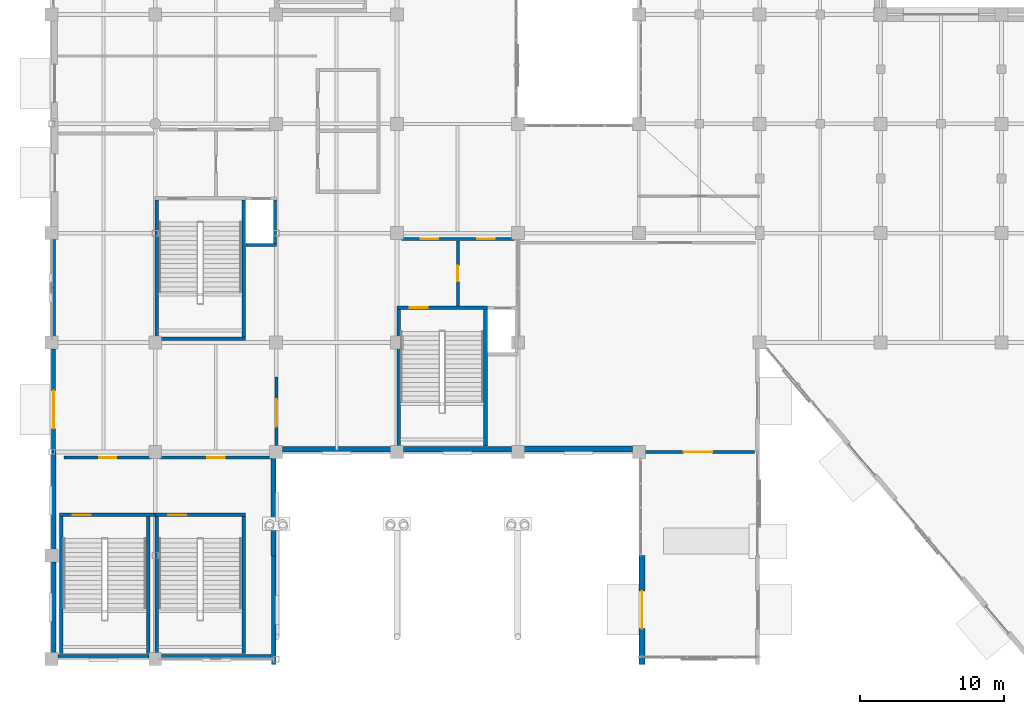
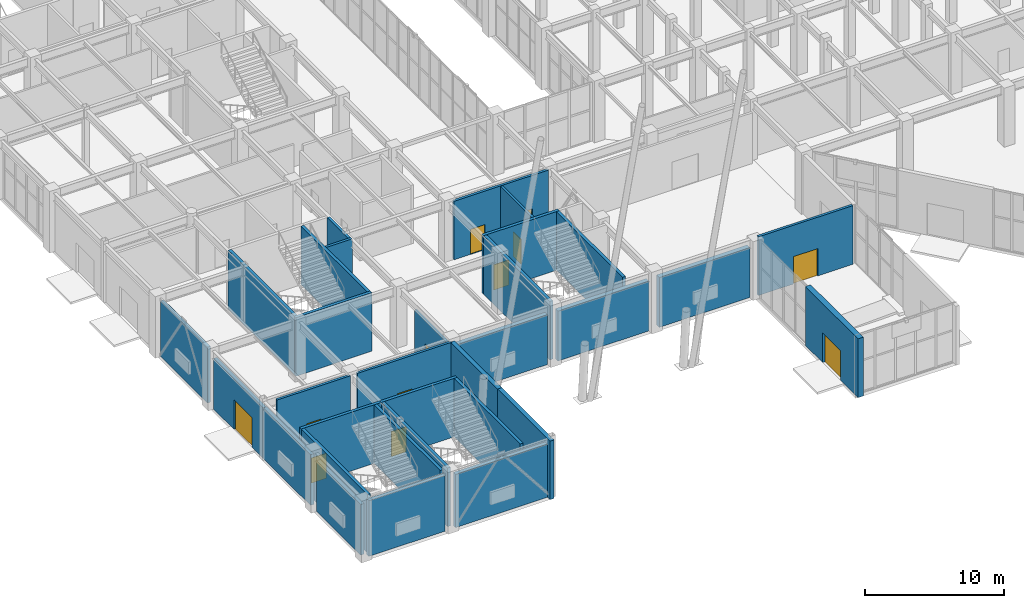
# One storey, part 118 of 139: 32 walls, 12 doors, 12 openings.
"""IFC4 building model written with IfcOpenShell, lengths in metres."""

from ifc_helpers import new_model, si_unit, direction, frame, frame_2d, origin, place, context, subcontext, project, spatial, rectangle, extrude, material, layer, layer_set, type_object, element, fill, save


model = new_model("IFC4")

# Units and contexts
model_context = context("Model", 3, precision=1e-05, world=origin(), true_north=direction((0.0, 1.0)))
body_context = subcontext(model_context, "Body", "Model", "MODEL_VIEW")
ifc_project = project(units=[si_unit("LENGTHUNIT", "METRE"), si_unit("AREAUNIT", "SQUARE_METRE"), si_unit("VOLUMEUNIT", "CUBIC_METRE"), si_unit("PLANEANGLEUNIT", "RADIAN"), si_unit("MASSUNIT", "GRAM", prefix="KILO")], contexts=[model_context])

# Site, building, storey
site_placement = place(None, origin())
site = spatial("IfcSite", under=ifc_project, at=site_placement, CompositionType="ELEMENT")
building_placement = place(site_placement, origin())
building = spatial("IfcBuilding", under=site, at=building_placement, Name="Xicomal Pleat Aquarium", CompositionType="ELEMENT")
storey_placement = place(building_placement, origin())
storey = spatial("IfcBuildingStorey", under=building, at=storey_placement, Name="L01", CompositionType="ELEMENT", Elevation=0.0)

# Walls
ifc_material_1 = material(Name="Concrete C40/50", Category="concrete")
ifc_layer_1 = layer(ifc_material_1, 0.219970703125)
ifc_layer_set_1 = layer_set([ifc_layer_1], Name="Concrete C40/50")
wall_type_1 = type_object("IfcWallType", Name="WAL-COR-220", PredefinedType="SHEAR", material=ifc_layer_set_1)
wall_1_placement = place(storey_placement, frame((16.5, 29.590087890625, 0.0), z_axis=(0.0, 0.0, 1.0), x_axis=(1.0, 0.0, 0.0)))
element("IfcWall", 1, at=wall_1_placement, inside=storey, type_object=wall_type_1, Name="L01 LF-01 lift shaft wall CW-L01-C1-LS", PredefinedType="SHEAR", context=body_context, shape_type="SweptSolid", body=[
    extrude(rectangle(XDim=2.1201171875, YDim=0.219970703125, at=frame_2d((1.06005859375, 0.0))), origin(), (0.0, 0.0, 1.0), 5.139892578125),
])
wall_2_placement = place(storey_placement, frame((18.510009765625, 29.699951171875, 0.0), z_axis=(0.0, 0.0, 1.0), x_axis=(0.0, 1.0, 0.0)))
element("IfcWall", 2, at=wall_2_placement, inside=storey, type_object=wall_type_1, Name="L01 LF-01 lift shaft wall CW-L01-C1-LE", PredefinedType="SHEAR", context=body_context, shape_type="SweptSolid", body=[
    extrude(rectangle(XDim=3.0, YDim=0.219970703125, at=frame_2d((1.5, 0.0))), origin(), (0.0, 0.0, 1.0), 5.139892578125),
])
ifc_material_2 = material(Name="Concrete C40/50", Category="concrete")
ifc_layer_2 = layer(ifc_material_2, 0.25)
ifc_layer_set_2 = layer_set([ifc_layer_2], Name="Concrete C40/50")
wall_type_2 = type_object("IfcWallType", Name="WAL-COR-250", PredefinedType="SHEAR", material=ifc_layer_set_2)
wall_3_placement = place(storey_placement, frame((10.18994140625, 23.074951171875, 0.0), z_axis=(0.0, 0.0, 1.0), x_axis=(1.0, 0.0, 0.0)))
element("IfcWall", 3, at=wall_3_placement, inside=storey, type_object=wall_type_2, Name="L01 CORE-1 stair shear wall CW-L01-C1-SS", PredefinedType="SHEAR", context=body_context, shape_type="SweptSolid", body=[
    extrude(rectangle(XDim=6.280029296875, YDim=0.25, at=frame_2d((3.14013671875, 0.0))), origin(), (0.0, 0.0, 1.0), 5.139892578125),
])
for number, where, z_axis, x_axis, name in (
    (4, (10.31494140625, 23.199951171875, 0.0), (0.0, 0.0, 1.0), (0.0, 1.0, 0.0), "L01 CORE-1 stair shear wall CW-L01-C1-SW"),
    (5, (16.344970703125, 23.199951171875, 0.0), (0.0, 0.0, 1.0), (0.0, 1.0, 0.0), "L01 CORE-1 stair shear wall CW-L01-C1-SE"),
):
    element("IfcWall", number, at=place(storey_placement, frame(where, z_axis=z_axis, x_axis=x_axis)), inside=storey, type_object=wall_type_2, Name=name, PredefinedType="SHEAR", context=body_context, shape_type="SweptSolid", body=[
        extrude(rectangle(XDim=9.5, YDim=0.25, at=frame_2d((4.75, 0.0))), origin(), (0.0, 0.0, 1.0), 5.139892578125),
    ])

# Wall, opening, door
wall_4_placement = place(storey_placement, frame((26.989990234375, 25.22509765625, 0.0), z_axis=(0.0, 0.0, 1.0), x_axis=(1.0, 0.0, 0.0)))
wall_4 = element("IfcWall", 6, at=wall_4_placement, inside=storey, type_object=wall_type_2, Name="L01 CORE-2 stair shear wall CW-L01-C2-SN", PredefinedType="SHEAR", context=body_context, shape_type="SweptSolid", body=[
    extrude(rectangle(XDim=6.280029296875, YDim=0.25, at=frame_2d((3.14013671875, 0.0))), origin(), (0.0, 0.0, 1.0), 5.139892578125),
])
opening_1_placement = place(wall_4_placement, frame((0.89990234375, 0.0, 0.0)))
opening_1 = element("IfcOpeningElement", 7, at=opening_1_placement, cuts=wall_4, Name="Opening SD-02-L01", PredefinedType="OPENING", context=body_context, shape_type="SweptSolid", body=[
    extrude(rectangle(XDim=1.25, YDim=2.199951171875, at=frame_2d((0.625, 1.10009765625))), frame((0.0, 0.135009765625, 0.0), z_axis=(0.0, -1.0, 0.0), x_axis=(1.0, 0.0, 0.0)), (0.0, 0.0, 1.0), 0.27001953125),
])
ifc_material_3 = material(Name="Powder-coated steel fire door", Category="steel")
door_type_1 = type_object("IfcDoorType", Name="DOR-ST-1250x2200", OperationType="NOTDEFINED", PredefinedType="DOOR", material=ifc_material_3)
door_1_placement = place(opening_1_placement, origin())
door_1 = element("IfcDoor", 8, at=door_1_placement, inside=storey, type_object=door_type_1, Name="L01 ST-02 protected stair door", OperationType="SINGLE_SWING_RIGHT", OverallHeight=2.199951171875, OverallWidth=1.25, PredefinedType="DOOR", context=body_context, shape_type="SweptSolid", body=[
    extrude(rectangle(XDim=1.25, YDim=2.199951171875, at=frame_2d((0.625, 1.10009765625))), frame((0.0, 0.02490234375, 0.0), z_axis=(0.0, -1.0, 0.0), x_axis=(1.0, 0.0, 0.0)), (0.0, 0.0, 1.0), 0.050048828125),
])
fill(opening_1, door_1)

# Walls
for number, where, z_axis, x_axis, name in (
    (9, (27.114990234375, 15.60009765625, 0.0), (0.0, 0.0, 1.0), (0.0, 1.0, 0.0), "L01 CORE-2 stair shear wall CW-L01-C2-SW"),
    (10, (33.14501953125, 15.60009765625, 0.0), (0.0, 0.0, 1.0), (0.0, 1.0, 0.0), "L01 CORE-2 stair shear wall CW-L01-C2-SE"),
):
    element("IfcWall", number, at=place(storey_placement, frame(where, z_axis=z_axis, x_axis=x_axis)), inside=storey, type_object=wall_type_2, Name=name, PredefinedType="SHEAR", context=body_context, shape_type="SweptSolid", body=[
        extrude(rectangle(XDim=9.5, YDim=0.25, at=frame_2d((4.75, 0.0))), origin(), (0.0, 0.0, 1.0), 5.139892578125),
    ])

# Wall, opening, door
wall_5_placement = place(storey_placement, frame((10.18994140625, 10.824951171875, 0.0), z_axis=(0.0, 0.0, 1.0), x_axis=(1.0, 0.0, 0.0)))
wall_5 = element("IfcWall", 11, at=wall_5_placement, inside=storey, type_object=wall_type_2, Name="L01 CORE-9 stair shear wall CW-L01-C9-SN", PredefinedType="SHEAR", context=body_context, shape_type="SweptSolid", body=[
    extrude(rectangle(XDim=6.280029296875, YDim=0.25, at=frame_2d((3.14013671875, 0.0))), origin(), (0.0, 0.0, 1.0), 5.139892578125),
])
opening_2_placement = place(wall_5_placement, frame((0.89990234375, 0.0, 0.0)))
opening_2 = element("IfcOpeningElement", 12, at=opening_2_placement, cuts=wall_5, Name="Opening SD-09-L01", PredefinedType="OPENING", context=body_context, shape_type="SweptSolid", body=[
    extrude(rectangle(XDim=1.25, YDim=2.199951171875, at=frame_2d((0.625, 1.10009765625))), frame((0.0, 0.135009765625, 0.0), z_axis=(0.0, -1.0, 0.0), x_axis=(1.0, 0.0, 0.0)), (0.0, 0.0, 1.0), 0.27001953125),
])
door_2_placement = place(opening_2_placement, origin())
door_2 = element("IfcDoor", 13, at=door_2_placement, inside=storey, type_object=door_type_1, Name="L01 ST-09 protected stair door", OperationType="SINGLE_SWING_RIGHT", OverallHeight=2.199951171875, OverallWidth=1.25, PredefinedType="DOOR", context=body_context, shape_type="SweptSolid", body=[
    extrude(rectangle(XDim=1.25, YDim=2.199951171875, at=frame_2d((0.625, 1.10009765625))), frame((0.0, 0.02490234375, 0.0), z_axis=(0.0, -1.0, 0.0), x_axis=(1.0, 0.0, 0.0)), (0.0, 0.0, 1.0), 0.050048828125),
])
fill(opening_2, door_2)

# Walls
for number, where, z_axis, x_axis, name in (
    (14, (10.31494140625, 1.199951171875, 0.0), (0.0, 0.0, 1.0), (0.0, 1.0, 0.0), "L01 CORE-9 stair shear wall CW-L01-C9-SW"),
    (15, (16.344970703125, 1.199951171875, 0.0), (0.0, 0.0, 1.0), (0.0, 1.0, 0.0), "L01 CORE-9 stair shear wall CW-L01-C9-SE"),
):
    element("IfcWall", number, at=place(storey_placement, frame(where, z_axis=z_axis, x_axis=x_axis)), inside=storey, type_object=wall_type_2, Name=name, PredefinedType="SHEAR", context=body_context, shape_type="SweptSolid", body=[
        extrude(rectangle(XDim=9.5, YDim=0.25, at=frame_2d((4.75, 0.0))), origin(), (0.0, 0.0, 1.0), 5.139892578125),
    ])

# Wall, opening, door
wall_6_placement = place(storey_placement, frame((3.550048828125, 10.824951171875, 0.0), z_axis=(0.0, 0.0, 1.0), x_axis=(1.0, 0.0, 0.0)))
wall_6 = element("IfcWall", 16, at=wall_6_placement, inside=storey, type_object=wall_type_2, Name="L01 CORE-10 stair shear wall CW-L01-C10-SN", PredefinedType="SHEAR", context=body_context, shape_type="SweptSolid", body=[
    extrude(rectangle(XDim=6.639892578125, YDim=0.25, at=frame_2d((3.31982421875, 0.0))), origin(), (0.0, 0.0, 1.0), 5.139892578125),
])
opening_3_placement = place(wall_6_placement, frame((0.89990234375, 0.0, 0.0)))
opening_3 = element("IfcOpeningElement", 17, at=opening_3_placement, cuts=wall_6, Name="Opening SD-10-L01", PredefinedType="OPENING", context=body_context, shape_type="SweptSolid", body=[
    extrude(rectangle(XDim=1.25, YDim=2.199951171875, at=frame_2d((0.625, 1.10009765625))), frame((0.0, 0.135009765625, 0.0), z_axis=(0.0, -1.0, 0.0), x_axis=(1.0, 0.0, 0.0)), (0.0, 0.0, 1.0), 0.27001953125),
])
door_3_placement = place(opening_3_placement, origin())
door_3 = element("IfcDoor", 18, at=door_3_placement, inside=storey, type_object=door_type_1, Name="L01 ST-10 protected stair door", OperationType="SINGLE_SWING_RIGHT", OverallHeight=2.199951171875, OverallWidth=1.25, PredefinedType="DOOR", context=body_context, shape_type="SweptSolid", body=[
    extrude(rectangle(XDim=1.25, YDim=2.199951171875, at=frame_2d((0.625, 1.10009765625))), frame((0.0, 0.02490234375, 0.0), z_axis=(0.0, -1.0, 0.0), x_axis=(1.0, 0.0, 0.0)), (0.0, 0.0, 1.0), 0.050048828125),
])
fill(opening_3, door_3)

# Walls
for number, where, z_axis, x_axis, name in (
    (19, (3.675048828125, 1.199951171875, 0.0), (0.0, 0.0, 1.0), (0.0, 1.0, 0.0), "L01 CORE-10 stair shear wall CW-L01-C10-SW"),
    (20, (9.705078125, 1.199951171875, 0.0), (0.0, 0.0, 1.0), (0.0, 1.0, 0.0), "L01 CORE-10 stair shear wall CW-L01-C10-SE"),
):
    element("IfcWall", number, at=place(storey_placement, frame(where, z_axis=z_axis, x_axis=x_axis)), inside=storey, type_object=wall_type_2, Name=name, PredefinedType="SHEAR", context=body_context, shape_type="SweptSolid", body=[
        extrude(rectangle(XDim=9.5, YDim=0.25, at=frame_2d((4.75, 0.0))), origin(), (0.0, 0.0, 1.0), 5.139892578125),
    ])
ifc_material_4 = material(Name="Volcanic basalt recinto masonry and concrete C40/50", Category="masonry")
ifc_layer_3 = layer(ifc_material_4, 0.35009765625)
ifc_layer_set_3 = layer_set([ifc_layer_3], Name="Volcanic basalt recinto masonry and concrete C40/50")
wall_type_3 = type_object("IfcWallType", Name="WAL-EXT-BAS-350", PredefinedType="SOLIDWALL", material=ifc_layer_set_3)
wall_7_placement = place(storey_placement, frame((18.425048828125, 14.764892578125, 0.0), z_axis=(0.0, 0.0, 1.0), x_axis=(0.0, -1.0, 0.0)))
element("IfcWall", 21, at=wall_7_placement, inside=storey, type_object=wall_type_3, Name="L01 exterior basalt-precast wall EW-L01-017", PredefinedType="SOLIDWALL", context=body_context, shape_type="SweptSolid", body=[
    extrude(rectangle(XDim=6.784912109375, YDim=0.35009765625, at=frame_2d((3.392578125, 0.0))), origin(), (0.0, 0.0, 1.0), 5.139892578125),
])
ifc_material_5 = material(Name="Volcanic basalt recinto masonry and concrete C40/50", Category="masonry")
ifc_layer_4 = layer(ifc_material_5, 0.364990234375)
ifc_layer_set_4 = layer_set([ifc_layer_4], Name="Volcanic basalt recinto masonry and concrete C40/50")
wall_type_4 = type_object("IfcWallType", Name="WAL-EXT-BAS-365", PredefinedType="SOLIDWALL", material=ifc_layer_set_4)
wall_8_placement = place(storey_placement, frame((26.56494140625, 15.382080078125, 0.0), z_axis=(0.0, 0.0, 1.0), x_axis=(-1.0, 0.0, 0.0)))
element("IfcWall", 22, at=wall_8_placement, inside=storey, type_object=wall_type_4, Name="L01 exterior basalt-precast wall EW-L01-016", PredefinedType="SOLIDWALL", context=body_context, shape_type="SweptSolid", body=[
    extrude(rectangle(XDim=7.530029296875, YDim=0.364990234375, at=frame_2d((3.76513671875, 0.0))), origin(), (0.0, 0.0, 1.0), 4.364990234375),
])
ifc_material_6 = material(Name="Volcanic basalt recinto masonry and concrete C40/50", Category="masonry")
ifc_layer_5 = layer(ifc_material_6, 0.3798828125)
ifc_layer_set_5 = layer_set([ifc_layer_5], Name="Volcanic basalt recinto masonry and concrete C40/50")
wall_type_5 = type_object("IfcWallType", Name="WAL-EXT-BAS-380", PredefinedType="SOLIDWALL", material=ifc_layer_set_5)
wall_9_placement = place(storey_placement, frame((34.965087890625, 15.389892578125, 0.0), z_axis=(0.0, 0.0, 1.0), x_axis=(-1.0, 0.0, 0.0)))
element("IfcWall", 23, at=wall_9_placement, inside=storey, type_object=wall_type_5, Name="L01 exterior basalt-precast wall EW-L01-015", PredefinedType="SOLIDWALL", context=body_context, shape_type="SweptSolid", body=[
    extrude(rectangle(XDim=7.530029296875, YDim=0.3798828125, at=frame_2d((3.76513671875, 0.0))), origin(), (0.0, 0.0, 1.0), 4.364990234375),
])
ifc_material_7 = material(Name="Volcanic basalt recinto masonry and concrete C40/50", Category="masonry")
ifc_layer_6 = layer(ifc_material_7, 0.39990234375)
ifc_layer_set_6 = layer_set([ifc_layer_6], Name="Volcanic basalt recinto masonry and concrete C40/50")
wall_type_6 = type_object("IfcWallType", Name="WAL-EXT-BAS-400", PredefinedType="SOLIDWALL", material=ifc_layer_set_6)
wall_10_placement = place(storey_placement, frame((43.364990234375, 15.39990234375, 0.0), z_axis=(0.0, 0.0, 1.0), x_axis=(-1.0, 0.0, 0.0)))
element("IfcWall", 24, at=wall_10_placement, inside=storey, type_object=wall_type_6, Name="L01 exterior basalt-precast wall EW-L01-014", PredefinedType="SOLIDWALL", context=body_context, shape_type="SweptSolid", body=[
    extrude(rectangle(XDim=7.530029296875, YDim=0.39990234375, at=frame_2d((3.76513671875, 0.0))), origin(), (0.0, 0.0, 1.0), 4.364990234375),
])

# Wall, opening, door
ifc_material_8 = material(Name="Volcanic basalt recinto masonry and concrete C40/50", Category="masonry")
ifc_layer_7 = layer(ifc_material_8, 0.445068359375)
ifc_layer_set_7 = layer_set([ifc_layer_7], Name="Volcanic basalt recinto masonry and concrete C40/50")
wall_type_7 = type_object("IfcWallType", Name="WAL-EXT-BAS-445", PredefinedType="SOLIDWALL", material=ifc_layer_set_7)
wall_11_placement = place(storey_placement, frame((44.02197265625, 0.43994140625, 0.0), z_axis=(0.0, 0.0, 1.0), x_axis=(0.0, 1.0, 0.0)))
wall_11 = element("IfcWall", 25, at=wall_11_placement, inside=storey, type_object=wall_type_7, Name="L01 exterior basalt-precast wall EW-L01-012", PredefinedType="SOLIDWALL", context=body_context, shape_type="SweptSolid", body=[
    extrude(rectangle(XDim=7.580078125, YDim=0.445068359375, at=frame_2d((3.7900390625, 0.0))), origin(), (0.0, 0.0, 1.0), 5.159912109375),
])
opening_4_placement = place(wall_11_placement, frame((2.489990234375, 0.0, 0.0)))
opening_4 = element("IfcOpeningElement", 26, at=opening_4_placement, cuts=wall_11, Name="Opening EX-22", PredefinedType="OPENING", context=body_context, shape_type="SweptSolid", body=[
    extrude(rectangle(XDim=2.60009765625, YDim=2.60009765625, at=frame_2d((1.300048828125, 1.300048828125))), frame((0.0, 0.232421875, 0.0), z_axis=(0.0, -1.0, 0.0), x_axis=(1.0, 0.0, 0.0)), (0.0, 0.0, 1.0), 0.465087890625),
])
ifc_material_9 = material(Name="Bronze anodized aluminium and laminated safety glass", Category="aluminium")
door_type_2 = type_object("IfcDoorType", Name="DOR-EX-2600x2600", OperationType="DOUBLE_DOOR_SINGLE_SWING", PredefinedType="DOOR", material=ifc_material_9)
door_4_placement = place(opening_4_placement, origin())
door_4 = element("IfcDoor", 27, at=door_4_placement, inside=storey, type_object=door_type_2, Name="Ground floor pedestrian final exit door EX-22", OperationType="DOUBLE_DOOR_SINGLE_SWING", OverallHeight=2.60009765625, OverallWidth=2.60009765625, PredefinedType="DOOR", context=body_context, shape_type="SweptSolid", body=[
    extrude(rectangle(XDim=2.60009765625, YDim=2.60009765625, at=frame_2d((1.300048828125, 1.300048828125))), frame((0.0, 0.02490234375, 0.0), z_axis=(0.0, -1.0, 0.0), x_axis=(1.0, 0.0, 0.0)), (0.0, 0.0, 1.0), 0.050048828125),
])
fill(opening_4, door_4)

# Wall
ifc_material_10 = material(Name="Precast concrete C40/50", Category="concrete")
ifc_layer_8 = layer(ifc_material_10, 0.260009765625)
ifc_layer_set_8 = layer_set([ifc_layer_8], Name="Precast concrete C40/50")
wall_type_8 = type_object("IfcWallType", Name="WAL-EXT-PRC-260", PredefinedType="SOLIDWALL", material=ifc_layer_set_8)
wall_12_placement = place(storey_placement, frame((3.1298828125, 23.235107421875, 0.0), z_axis=(0.0, 0.0, 1.0), x_axis=(0.0, 1.0, 0.0)))
element("IfcWall", 28, at=wall_12_placement, inside=storey, type_object=wall_type_8, Name="L01 exterior basalt-precast wall EW-L01-024", PredefinedType="SOLIDWALL", context=body_context, shape_type="SweptSolid", body=[
    extrude(rectangle(XDim=6.72998046875, YDim=0.260009765625, at=frame_2d((3.364990234375, 0.0))), origin(), (0.0, 0.0, 1.0), 4.885009765625),
])

# Wall, opening, door
ifc_material_11 = material(Name="Precast concrete C40/50", Category="concrete")
ifc_layer_9 = layer(ifc_material_11, 0.280029296875)
ifc_layer_set_9 = layer_set([ifc_layer_9], Name="Precast concrete C40/50")
wall_type_9 = type_object("IfcWallType", Name="WAL-EXT-PRC-280", PredefinedType="SOLIDWALL", material=ifc_layer_set_9)
wall_13_placement = place(storey_placement, frame((3.139892578125, 15.219970703125, 0.0), z_axis=(0.0, 0.0, 1.0), x_axis=(0.0, 1.0, 0.0)))
wall_13 = element("IfcWall", 29, at=wall_13_placement, inside=storey, type_object=wall_type_9, Name="L01 exterior basalt-precast wall EW-L01-023", PredefinedType="SOLIDWALL", context=body_context, shape_type="SweptSolid", body=[
    extrude(rectangle(XDim=7.14501953125, YDim=0.280029296875, at=frame_2d((3.572509765625, 0.0))), origin(), (0.0, 0.0, 1.0), 4.44189453125),
])
opening_5_placement = place(wall_13_placement, frame((1.614990234375, 0.0, 0.0)))
opening_5 = element("IfcOpeningElement", 30, at=opening_5_placement, cuts=wall_13, Name="Opening EX-02", PredefinedType="OPENING", context=body_context, shape_type="SweptSolid", body=[
    extrude(rectangle(XDim=2.60009765625, YDim=2.60009765625, at=frame_2d((1.300048828125, 1.300048828125))), frame((0.0, 0.14990234375, 0.0), z_axis=(0.0, -1.0, 0.0), x_axis=(1.0, 0.0, 0.0)), (0.0, 0.0, 1.0), 0.300048828125),
])
door_5_placement = place(opening_5_placement, origin())
door_5 = element("IfcDoor", 31, at=door_5_placement, inside=storey, type_object=door_type_2, Name="Ground floor pedestrian final exit door EX-02", OperationType="DOUBLE_DOOR_SINGLE_SWING", OverallHeight=2.60009765625, OverallWidth=2.60009765625, PredefinedType="DOOR", context=body_context, shape_type="SweptSolid", body=[
    extrude(rectangle(XDim=2.60009765625, YDim=2.60009765625, at=frame_2d((1.300048828125, 1.300048828125))), frame((0.0, 0.02490234375, 0.0), z_axis=(0.0, -1.0, 0.0), x_axis=(1.0, 0.0, 0.0)), (0.0, 0.0, 1.0), 0.050048828125),
])
fill(opening_5, door_5)

# Walls
ifc_material_12 = material(Name="Precast concrete C40/50", Category="concrete")
ifc_layer_10 = layer(ifc_material_12, 0.2900390625)
ifc_layer_set_10 = layer_set([ifc_layer_10], Name="Precast concrete C40/50")
wall_type_10 = type_object("IfcWallType", Name="WAL-EXT-PRC-290", PredefinedType="SOLIDWALL", material=ifc_layer_set_10)
wall_14_placement = place(storey_placement, frame((3.14501953125, 8.43505859375, 0.0), z_axis=(0.0, 0.0, 1.0), x_axis=(0.0, 1.0, 0.0)))
element("IfcWall", 32, at=wall_14_placement, inside=storey, type_object=wall_type_10, Name="L01 exterior basalt-precast wall EW-L01-022", PredefinedType="SOLIDWALL", context=body_context, shape_type="SweptSolid", body=[
    extrude(rectangle(XDim=6.784912109375, YDim=0.2900390625, at=frame_2d((3.392578125, 0.0))), origin(), (0.0, 0.0, 1.0), 4.44189453125),
])
ifc_material_13 = material(Name="Precast concrete C40/50", Category="concrete")
ifc_layer_11 = layer(ifc_material_13, 0.300048828125)
ifc_layer_set_11 = layer_set([ifc_layer_11], Name="Precast concrete C40/50")
wall_type_11 = type_object("IfcWallType", Name="WAL-EXT-PRC-300", PredefinedType="SOLIDWALL", material=ifc_layer_set_11)
wall_15_placement = place(storey_placement, frame((3.14990234375, 1.235107421875, 0.0), z_axis=(0.0, 0.0, 1.0), x_axis=(0.0, 1.0, 0.0)))
element("IfcWall", 33, at=wall_15_placement, inside=storey, type_object=wall_type_11, Name="L01 exterior basalt-precast wall EW-L01-021", PredefinedType="SOLIDWALL", context=body_context, shape_type="SweptSolid", body=[
    extrude(rectangle(XDim=6.329833984375, YDim=0.300048828125, at=frame_2d((3.1650390625, 0.0))), origin(), (0.0, 0.0, 1.0), 4.44189453125),
])
ifc_material_14 = material(Name="Precast concrete C40/50", Category="concrete")
ifc_layer_12 = layer(ifc_material_14, 0.31201171875)
ifc_layer_set_12 = layer_set([ifc_layer_12], Name="Precast concrete C40/50")
wall_type_12 = type_object("IfcWallType", Name="WAL-EXT-PRC-312", PredefinedType="SOLIDWALL", material=ifc_layer_set_12)
wall_16_placement = place(storey_placement, frame((9.764892578125, 0.9560546875, 0.0), z_axis=(0.0, 0.0, 1.0), x_axis=(-1.0, 0.0, 0.0)))
element("IfcWall", 34, at=wall_16_placement, inside=storey, type_object=wall_type_12, Name="L01 exterior basalt-precast wall EW-L01-020", PredefinedType="SOLIDWALL", context=body_context, shape_type="SweptSolid", body=[
    extrude(rectangle(XDim=6.329833984375, YDim=0.31201171875, at=frame_2d((3.1650390625, 0.0))), origin(), (0.0, 0.0, 1.0), 4.885009765625),
])
ifc_material_15 = material(Name="Precast concrete C40/50", Category="concrete")
ifc_layer_13 = layer(ifc_material_15, 0.324951171875)
ifc_layer_set_13 = layer_set([ifc_layer_13], Name="Precast concrete C40/50")
wall_type_13 = type_object("IfcWallType", Name="WAL-EXT-PRC-325", PredefinedType="SOLIDWALL", material=ifc_layer_set_13)
wall_17_placement = place(storey_placement, frame((18.2548828125, 0.962890625, 0.0), z_axis=(0.0, 0.0, 1.0), x_axis=(-1.0, 0.0, 0.0)))
element("IfcWall", 35, at=wall_17_placement, inside=storey, type_object=wall_type_13, Name="L01 exterior basalt-precast wall EW-L01-019B", PredefinedType="SOLIDWALL", context=body_context, shape_type="SweptSolid", body=[
    extrude(rectangle(XDim=7.619873046875, YDim=0.324951171875, at=frame_2d((3.81005859375, 0.0))), origin(), (0.0, 0.0, 1.0), 4.666015625),
])
ifc_material_16 = material(Name="Precast concrete C40/50", Category="concrete")
ifc_layer_14 = layer(ifc_material_16, 0.340087890625)
ifc_layer_set_14 = layer_set([ifc_layer_14], Name="Precast concrete C40/50")
wall_type_14 = type_object("IfcWallType", Name="WAL-EXT-PRC-340", PredefinedType="SOLIDWALL", material=ifc_layer_set_14)
wall_18_placement = place(storey_placement, frame((18.429931640625, 7.97998046875, 0.0), z_axis=(0.0, 0.0, 1.0), x_axis=(0.0, -1.0, 0.0)))
element("IfcWall", 36, at=wall_18_placement, inside=storey, type_object=wall_type_14, Name="L01 exterior basalt-precast wall EW-L01-018", PredefinedType="SOLIDWALL", context=body_context, shape_type="SweptSolid", body=[
    extrude(rectangle(XDim=7.5400390625, YDim=0.340087890625, at=frame_2d((3.77001953125, 0.0))), origin(), (0.0, 0.0, 1.0), 5.139892578125),
])

# Wall, opening, door
ifc_material_17 = material(Name="Acoustic double-stud drywall partition", Category="gypsum")
ifc_layer_15 = layer(ifc_material_17, 0.195068359375)
ifc_layer_set_15 = layer_set([ifc_layer_15], Name="Acoustic double-stud drywall partition")
wall_type_15 = type_object("IfcWallType", Name="WAL-PRT-195", PredefinedType="PARTITIONING", material=ifc_layer_set_15)
wall_19_placement = place(storey_placement, frame((31.22509765625, 25.35009765625, 0.0), z_axis=(0.0, 0.0, 1.0), x_axis=(0.0, 1.0, 0.0)))
wall_19 = element("IfcWall", 37, at=wall_19_placement, inside=storey, type_object=wall_type_15, Name="L01 firefighting lobby smoke divider 2", PredefinedType="PARTITIONING", context=body_context, shape_type="SweptSolid", body=[
    extrude(rectangle(XDim=4.5, YDim=0.195068359375, at=frame_2d((2.25, 0.0))), origin(), (0.0, 0.0, 1.0), 5.139892578125),
])
opening_6_placement = place(wall_19_placement, frame((1.699951171875, 0.0, 0.0)))
opening_6 = element("IfcOpeningElement", 38, at=opening_6_placement, cuts=wall_19, Name="Opening FD-02C-L01", PredefinedType="OPENING", context=body_context, shape_type="SweptSolid", body=[
    extrude(rectangle(XDim=1.10009765625, YDim=2.14990234375, at=frame_2d((0.550048828125, 1.074951171875))), frame((0.0, 0.107421875, 0.0), z_axis=(0.0, -1.0, 0.0), x_axis=(1.0, 0.0, 0.0)), (0.0, 0.0, 1.0), 0.215087890625),
])
ifc_material_18 = material(Name="Powder-coated steel fire door", Category="steel")
door_type_3 = type_object("IfcDoorType", Name="DOR-LAB-1100x2150", OperationType="NOTDEFINED", PredefinedType="DOOR", material=ifc_material_18)
door_6_placement = place(opening_6_placement, origin())
door_6 = element("IfcDoor", 39, at=door_6_placement, inside=storey, type_object=door_type_3, Name="L01 lobby interconnecting fire door 2C", OperationType="SINGLE_SWING_RIGHT", OverallHeight=2.14990234375, OverallWidth=1.10009765625, PredefinedType="DOOR", context=body_context, shape_type="SweptSolid", body=[
    extrude(rectangle(XDim=1.10009765625, YDim=2.14990234375, at=frame_2d((0.550048828125, 1.074951171875))), frame((0.0, 0.02490234375, 0.0), z_axis=(0.0, -1.0, 0.0), x_axis=(1.0, 0.0, 0.0)), (0.0, 0.0, 1.0), 0.050048828125),
])
fill(opening_6, door_6)

ifc_material_19 = material(Name="Acoustic double-stud drywall partition", Category="gypsum")
ifc_layer_16 = layer(ifc_material_19, 0.201904296875)
ifc_layer_set_16 = layer_set([ifc_layer_16], Name="Acoustic double-stud drywall partition")
wall_type_16 = type_object("IfcWallType", Name="WAL-PRT-202", PredefinedType="PARTITIONING", material=ifc_layer_set_16)
wall_20_placement = place(storey_placement, frame((18.6201171875, 20.39990234375, 0.0), z_axis=(0.0, 0.0, 1.0), x_axis=(0.0, -1.0, 0.0)))
wall_20 = element("IfcWall", 40, at=wall_20_placement, inside=storey, type_object=wall_type_16, Name="L01 interior partition PT-L01-020", PredefinedType="PARTITIONING", context=body_context, shape_type="SweptSolid", body=[
    extrude(rectangle(XDim=5.0, YDim=0.201904296875, at=frame_2d((2.5, 0.0))), origin(), (0.0, 0.0, 1.0), 4.44189453125),
])
opening_7_placement = place(wall_20_placement, frame((1.550048828125, 0.0, 0.0)))
opening_7 = element("IfcOpeningElement", 41, at=opening_7_placement, cuts=wall_20, Name="Opening DR-L01-009", PredefinedType="OPENING", context=body_context, shape_type="SweptSolid", body=[
    extrude(rectangle(XDim=1.89990234375, YDim=2.39990234375, at=frame_2d((0.949951171875, 1.199951171875))), frame((0.0, 0.11083984375, 0.0), z_axis=(0.0, -1.0, 0.0), x_axis=(1.0, 0.0, 0.0)), (0.0, 0.0, 1.0), 0.221923828125),
])
ifc_material_20 = material(Name="Powder-coated steel fire door", Category="steel")
door_type_4 = type_object("IfcDoorType", Name="DOR-INT-1900x2400", OperationType="DOUBLE_DOOR_SINGLE_SWING", PredefinedType="DOOR", material=ifc_material_20)
door_7_placement = place(opening_7_placement, origin())
door_7 = element("IfcDoor", 42, at=door_7_placement, inside=storey, type_object=door_type_4, Name="L01 Entrance Pavilion Foyer and Ticketing Hall door DR-L01-009", OperationType="DOUBLE_DOOR_SINGLE_SWING", OverallHeight=2.39990234375, OverallWidth=1.89990234375, PredefinedType="DOOR", context=body_context, shape_type="SweptSolid", body=[
    extrude(rectangle(XDim=1.89990234375, YDim=2.39990234375, at=frame_2d((0.949951171875, 1.199951171875))), frame((0.0, 0.02490234375, 0.0), z_axis=(0.0, -1.0, 0.0), x_axis=(1.0, 0.0, 0.0)), (0.0, 0.0, 1.0), 0.050048828125),
])
fill(opening_7, door_7)

# Wall, openings, doors
ifc_material_21 = material(Name="Fire-rated gypsum and mineral-wool partition", Category="gypsum")
ifc_layer_17 = layer(ifc_material_21, 0.2099609375)
ifc_layer_set_17 = layer_set([ifc_layer_17], Name="Fire-rated gypsum and mineral-wool partition")
wall_type_17 = type_object("IfcWallType", Name="WAL-PRT-210", PredefinedType="PARTITIONING", material=ifc_layer_set_17)
wall_21_placement = place(storey_placement, frame((27.300048828125, 30.0, 0.0), z_axis=(0.0, 0.0, 1.0), x_axis=(1.0, 0.0, 0.0)))
wall_21 = element("IfcWall", 43, at=wall_21_placement, inside=storey, type_object=wall_type_17, Name="L01 CORE-2 lobby fire enclosure wall", PredefinedType="PARTITIONING", context=body_context, shape_type="SweptSolid", body=[
    extrude(rectangle(XDim=7.849853515625, YDim=0.2099609375, at=frame_2d((3.9248046875, 0.0))), origin(), (0.0, 0.0, 1.0), 5.139892578125),
])
opening_8_placement = place(wall_21_placement, frame((1.362060546875, 0.0, 0.0)))
opening_8 = element("IfcOpeningElement", 44, at=opening_8_placement, cuts=wall_21, Name="Opening FD-02A-L01", PredefinedType="OPENING", context=body_context, shape_type="SweptSolid", body=[
    extrude(rectangle(XDim=1.199951171875, YDim=2.199951171875, at=frame_2d((0.60009765625, 1.10009765625))), frame((0.0, 0.114990234375, 0.0), z_axis=(0.0, -1.0, 0.0), x_axis=(1.0, 0.0, 0.0)), (0.0, 0.0, 1.0), 0.22998046875),
])
opening_9_placement = place(wall_21_placement, frame((5.287109375, 0.0, 0.0)))
opening_9 = element("IfcOpeningElement", 45, at=opening_9_placement, cuts=wall_21, Name="Opening FD-02B-L01", PredefinedType="OPENING", context=body_context, shape_type="SweptSolid", body=[
    extrude(rectangle(XDim=1.199951171875, YDim=2.199951171875, at=frame_2d((0.60009765625, 1.10009765625))), frame((0.0, 0.114990234375, 0.0), z_axis=(0.0, -1.0, 0.0), x_axis=(1.0, 0.0, 0.0)), (0.0, 0.0, 1.0), 0.22998046875),
])
ifc_material_22 = material(Name="Powder-coated steel fire door", Category="steel")
door_type_5 = type_object("IfcDoorType", Name="DOR-FFL-1200x2200", OperationType="NOTDEFINED", PredefinedType="DOOR", material=ifc_material_22)
door_8_placement = place(opening_8_placement, origin())
door_8 = element("IfcDoor", 46, at=door_8_placement, inside=storey, type_object=door_type_5, Name="L01 firefighting lobby door 2A", OperationType="SINGLE_SWING_RIGHT", OverallHeight=2.199951171875, OverallWidth=1.199951171875, PredefinedType="DOOR", context=body_context, shape_type="SweptSolid", body=[
    extrude(rectangle(XDim=1.199951171875, YDim=2.199951171875, at=frame_2d((0.60009765625, 1.10009765625))), frame((0.0, 0.02490234375, 0.0), z_axis=(0.0, -1.0, 0.0), x_axis=(1.0, 0.0, 0.0)), (0.0, 0.0, 1.0), 0.050048828125),
])
fill(opening_8, door_8)
door_9_placement = place(opening_9_placement, origin())
door_9 = element("IfcDoor", 47, at=door_9_placement, inside=storey, type_object=door_type_5, Name="L01 lift lobby door 2B", OperationType="SINGLE_SWING_LEFT", OverallHeight=2.199951171875, OverallWidth=1.199951171875, PredefinedType="DOOR", context=body_context, shape_type="SweptSolid", body=[
    extrude(rectangle(XDim=1.199951171875, YDim=2.199951171875, at=frame_2d((0.60009765625, 1.10009765625))), frame((0.0, 0.02490234375, 0.0), z_axis=(0.0, -1.0, 0.0), x_axis=(1.0, 0.0, 0.0)), (0.0, 0.0, 1.0), 0.050048828125),
])
fill(opening_9, door_9)

# Wall, opening, door
wall_22_placement = place(storey_placement, frame((10.5, 14.800048828125, 0.0), z_axis=(0.0, 0.0, 1.0), x_axis=(1.0, 0.0, 0.0)))
wall_22 = element("IfcWall", 48, at=wall_22_placement, inside=storey, type_object=wall_type_17, Name="L01 CORE-9 lobby fire enclosure wall", PredefinedType="PARTITIONING", context=body_context, shape_type="SweptSolid", body=[
    extrude(rectangle(XDim=7.85009765625, YDim=0.2099609375, at=frame_2d((3.925048828125, 0.0))), origin(), (0.0, 0.0, 1.0), 5.139892578125),
])
opening_10_placement = place(wall_22_placement, frame((3.324951171875, 0.0, 0.0)))
opening_10 = element("IfcOpeningElement", 49, at=opening_10_placement, cuts=wall_22, Name="Opening FD-09A-L01", PredefinedType="OPENING", context=body_context, shape_type="SweptSolid", body=[
    extrude(rectangle(XDim=1.199951171875, YDim=2.199951171875, at=frame_2d((0.60009765625, 1.10009765625))), frame((0.0, 0.114990234375, 0.0), z_axis=(0.0, -1.0, 0.0), x_axis=(1.0, 0.0, 0.0)), (0.0, 0.0, 1.0), 0.22998046875),
])
door_10_placement = place(opening_10_placement, origin())
door_10 = element("IfcDoor", 50, at=door_10_placement, inside=storey, type_object=door_type_5, Name="L01 firefighting lobby door 9A", OperationType="SINGLE_SWING_RIGHT", OverallHeight=2.199951171875, OverallWidth=1.199951171875, PredefinedType="DOOR", context=body_context, shape_type="SweptSolid", body=[
    extrude(rectangle(XDim=1.199951171875, YDim=2.199951171875, at=frame_2d((0.60009765625, 1.10009765625))), frame((0.0, 0.02490234375, 0.0), z_axis=(0.0, -1.0, 0.0), x_axis=(1.0, 0.0, 0.0)), (0.0, 0.0, 1.0), 0.050048828125),
])
fill(opening_10, door_10)

wall_23_placement = place(storey_placement, frame((3.860107421875, 14.800048828125, 0.0), z_axis=(0.0, 0.0, 1.0), x_axis=(1.0, 0.0, 0.0)))
wall_23 = element("IfcWall", 51, at=wall_23_placement, inside=storey, type_object=wall_type_17, Name="L01 CORE-10 lobby fire enclosure wall", PredefinedType="PARTITIONING", context=body_context, shape_type="SweptSolid", body=[
    extrude(rectangle(XDim=6.08984375, YDim=0.2099609375, at=frame_2d((3.044921875, 0.0))), origin(), (0.0, 0.0, 1.0), 5.139892578125),
])
opening_11_placement = place(wall_23_placement, frame((2.445068359375, 0.0, 0.0)))
opening_11 = element("IfcOpeningElement", 52, at=opening_11_placement, cuts=wall_23, Name="Opening FD-10A-L01", PredefinedType="OPENING", context=body_context, shape_type="SweptSolid", body=[
    extrude(rectangle(XDim=1.199951171875, YDim=2.199951171875, at=frame_2d((0.60009765625, 1.10009765625))), frame((0.0, 0.114990234375, 0.0), z_axis=(0.0, -1.0, 0.0), x_axis=(1.0, 0.0, 0.0)), (0.0, 0.0, 1.0), 0.22998046875),
])
door_11_placement = place(opening_11_placement, origin())
door_11 = element("IfcDoor", 53, at=door_11_placement, inside=storey, type_object=door_type_5, Name="L01 firefighting lobby door 10A", OperationType="SINGLE_SWING_RIGHT", OverallHeight=2.199951171875, OverallWidth=1.199951171875, PredefinedType="DOOR", context=body_context, shape_type="SweptSolid", body=[
    extrude(rectangle(XDim=1.199951171875, YDim=2.199951171875, at=frame_2d((0.60009765625, 1.10009765625))), frame((0.0, 0.02490234375, 0.0), z_axis=(0.0, -1.0, 0.0), x_axis=(1.0, 0.0, 0.0)), (0.0, 0.0, 1.0), 0.050048828125),
])
fill(opening_11, door_11)

wall_24_placement = place(storey_placement, frame((44.0, 15.199951171875, 0.0), z_axis=(0.0, 0.0, 1.0), x_axis=(1.0, 0.0, 0.0)))
wall_24 = element("IfcWall", 54, at=wall_24_placement, inside=storey, type_object=wall_type_17, Name="L01 interior partition PT-L01-023", PredefinedType="PARTITIONING", context=body_context, shape_type="SweptSolid", body=[
    extrude(rectangle(XDim=7.840087890625, YDim=0.2099609375, at=frame_2d((3.919921875, 0.0))), origin(), (0.0, 0.0, 1.0), 5.14990234375),
])
opening_12_placement = place(wall_24_placement, frame((2.919921875, 0.0, 0.0)))
opening_12 = element("IfcOpeningElement", 55, at=opening_12_placement, cuts=wall_24, Name="Opening DR-L01-011", PredefinedType="OPENING", context=body_context, shape_type="SweptSolid", body=[
    extrude(rectangle(XDim=2.0, YDim=2.39990234375, at=frame_2d((1.0, 1.199951171875))), frame((0.0, 0.114990234375, 0.0), z_axis=(0.0, -1.0, 0.0), x_axis=(1.0, 0.0, 0.0)), (0.0, 0.0, 1.0), 0.22998046875),
])
ifc_material_23 = material(Name="Powder-coated steel fire door", Category="steel")
door_type_6 = type_object("IfcDoorType", Name="DOR-LSS-2000x2400", OperationType="DOUBLE_DOOR_SINGLE_SWING", PredefinedType="DOOR", material=ifc_material_23)
door_12_placement = place(opening_12_placement, origin())
door_12 = element("IfcDoor", 56, at=door_12_placement, inside=storey, type_object=door_type_6, Name="L01 Fire Command Room door DR-L01-011", OperationType="DOUBLE_DOOR_SINGLE_SWING", OverallHeight=2.39990234375, OverallWidth=2.0, PredefinedType="DOOR", context=body_context, shape_type="SweptSolid", body=[
    extrude(rectangle(XDim=2.0, YDim=2.39990234375, at=frame_2d((1.0, 1.199951171875))), frame((0.0, 0.02490234375, 0.0), z_axis=(0.0, -1.0, 0.0), x_axis=(1.0, 0.0, 0.0)), (0.0, 0.0, 1.0), 0.050048828125),
])
fill(opening_12, door_12)

save(model, "model.ifc")
